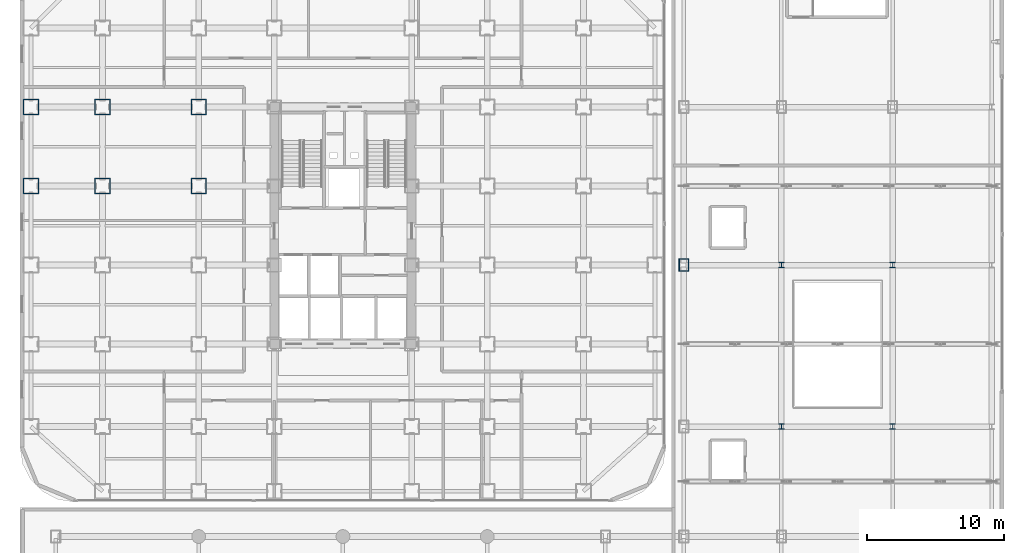
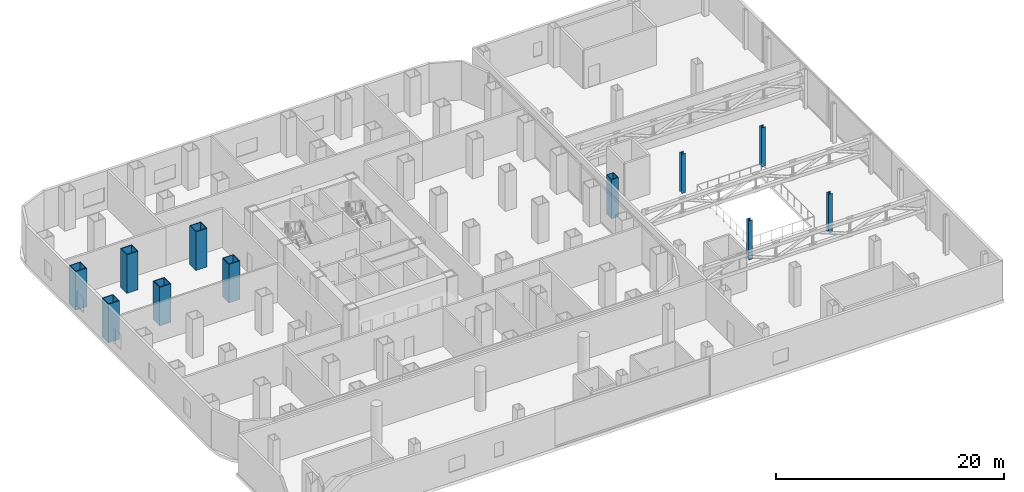
# One storey, part 2 of 28: 11 columns.
"""IFC4 building model written with IfcOpenShell, lengths in metres."""

import ifcopenshell
import ifcopenshell.guid

model = None  # the IFC model being written
_history = None  # IfcOwnerHistory: only IFC2X3 demands one
_inside = {}  # id of a spatial element -> (the spatial element, [elements in it])
_under = {}  # id of a project, library or spatial element -> (it, [spatial elements below it])
_declared = {}  # id of a project -> (the project, [libraries it declares])
_typed = {}  # id of a type object -> (the type object, [elements of that type])
_made_of = {}  # id of a material, layer set ... -> (it, [elements and type objects made of it])


def new_model(schema):
    """Start an empty IFC model of exactly this schema.

    Asked for "IFC4X3", IfcOpenShell would pick the latest addendum, in which some entities
    have other attributes; the version numbers below select the first issue.
    IFC2X3 requires an IfcOwnerHistory on every rooted entity: one is made here for all.
    """
    global model, _history
    if schema == "IFC4X3":
        model = ifcopenshell.file(schema_version=(4, 3, 0, 0))
    else:
        model = ifcopenshell.file(schema=schema)
    _inside.clear()
    _under.clear()
    _declared.clear()
    _typed.clear()
    _made_of.clear()
    _history = None
    if model.schema == "IFC2X3":
        org = make("IfcOrganization", Name="unknown")
        user = make(
            "IfcPersonAndOrganization",
            ThePerson=make("IfcPerson", FamilyName="unknown"),
            TheOrganization=org,
        )
        app = make(
            "IfcApplication",
            ApplicationDeveloper=org,
            Version="unknown",
            ApplicationFullName="unknown",
            ApplicationIdentifier="unknown",
        )
        _history = make(
            "IfcOwnerHistory",
            OwningUser=user,
            OwningApplication=app,
            ChangeAction="ADDED",
            CreationDate=0,
        )
    return model


def make(cls, **values):
    """One entity of the class cls with the attributes given. An attribute that is None is left unset."""
    return model.create_entity(
        cls, **{name: value for name, value in values.items() if value is not None}
    )


def rooted(cls, **values):
    """An entity with a GlobalId (a new one), such as an element, a storey or a relation."""
    return make(cls, GlobalId=ifcopenshell.guid.new(), OwnerHistory=_history, **values)


def si_unit(unit_type, name, prefix=None):
    """IfcSIUnit, for example si_unit("LENGTHUNIT", "METRE", prefix="MILLI")."""
    return make("IfcSIUnit", UnitType=unit_type, Prefix=prefix, Name=name)


def assignment(units):
    """IfcUnitAssignment: the units of a project."""
    return None if units is None else make("IfcUnitAssignment", Units=units)


def point(xyz):
    """IfcCartesianPoint."""
    return None if xyz is None else make("IfcCartesianPoint", Coordinates=xyz)


def direction(xyz):
    """IfcDirection."""
    return None if xyz is None else make("IfcDirection", DirectionRatios=xyz)


def frame(location, z_axis=None, x_axis=None):
    """IfcAxis2Placement3D, a coordinate frame: its origin and axes. An axis left out is left unset."""
    return make(
        "IfcAxis2Placement3D",
        Location=point(location),
        Axis=direction(z_axis),
        RefDirection=direction(x_axis),
    )


def frame_2d(location, x_axis=None):
    """IfcAxis2Placement2D, a coordinate frame in the plane: its origin and x axis."""
    return make(
        "IfcAxis2Placement2D", Location=point(location), RefDirection=direction(x_axis)
    )


def origin():
    """The frame at (0, 0, 0) with its axes left unset."""
    return frame((0.0, 0.0, 0.0))


def origin_2d():
    """The frame at (0, 0) in the plane with its x axis left unset."""
    return frame_2d((0.0, 0.0))


def place(relative_to, where):
    """IfcLocalPlacement: puts the frame where relative to a parent placement (None: the world)."""
    return make(
        "IfcLocalPlacement", PlacementRelTo=relative_to, RelativePlacement=where
    )


def context(
    kind, dimensions, precision=None, world=None, true_north=None, identifier=None
):
    """IfcGeometricRepresentationContext, for example the 3D "Model" context."""
    return make(
        "IfcGeometricRepresentationContext",
        ContextIdentifier=identifier,
        ContextType=kind,
        CoordinateSpaceDimension=dimensions,
        Precision=precision,
        WorldCoordinateSystem=world,
        TrueNorth=true_north,
    )


def subcontext(parent, identifier, kind, view, scale=None):
    """IfcGeometricRepresentationSubContext, for example "Body" below "Model"."""
    return make(
        "IfcGeometricRepresentationSubContext",
        ContextIdentifier=identifier,
        ContextType=kind,
        ParentContext=parent,
        TargetScale=scale,
        TargetView=view,
    )


def project(units=None, contexts=None):
    """IfcProject with its units and contexts."""
    return rooted(
        "IfcProject",
        Name="project",
        RepresentationContexts=contexts,
        UnitsInContext=assignment(units),
    )


def spatial(cls, under=None, at=None, **own):
    """A site, building, storey or space (cls), placed at a placement, below another one or the project."""
    s = rooted(cls, ObjectPlacement=at, **own)
    if under is not None:
        _under.setdefault(under.id(), (under, []))[1].append(s)
    return s


def profile(cls, at=None, kind="AREA", **sizes):
    """A parametric profile (cls). Its sizes go by their IFC names, for example OverallWidth=200.0."""
    return make(cls, ProfileType=kind, Position=at, **sizes)


def hollow_rectangle(**sizes):
    """IfcRectangleHollowProfileDef."""
    return profile("IfcRectangleHollowProfileDef", **sizes)


def i_section(**sizes):
    """IfcIShapeProfileDef."""
    return profile("IfcIShapeProfileDef", **sizes)


def extrude(swept, where, along, depth):
    """IfcExtrudedAreaSolid: the profile swept, set in the frame where, extruded along a direction by depth."""
    return make(
        "IfcExtrudedAreaSolid",
        SweptArea=swept,
        Position=where,
        ExtrudedDirection=direction(along),
        Depth=depth,
    )


def shape(context_of_items, identifier, shape_type, items):
    """IfcShapeRepresentation: the items that make up one representation, for example the "Body"."""
    return make(
        "IfcShapeRepresentation",
        ContextOfItems=context_of_items,
        RepresentationIdentifier=identifier,
        RepresentationType=shape_type,
        Items=items,
    )


def source(mapping_origin, context_of_items, identifier, shape_type, items):
    """IfcRepresentationMap: a shape defined once, which mapped items show again and again."""
    return make(
        "IfcRepresentationMap",
        MappingOrigin=mapping_origin,
        MappedRepresentation=shape(context_of_items, identifier, shape_type, items),
    )


def transform(
    local_origin,
    x_axis=None,
    y_axis=None,
    z_axis=None,
    scale=None,
    scale2=None,
    scale3=None,
    uniform=True,
):
    """IfcCartesianTransformationOperator3D, or its non-uniform kind. x_axis, y_axis, z_axis: its Axis1, 2, 3."""
    if uniform:
        return make(
            "IfcCartesianTransformationOperator3D",
            Axis1=direction(x_axis),
            Axis2=direction(y_axis),
            LocalOrigin=point(local_origin),
            Scale=scale,
            Axis3=direction(z_axis),
        )
    return make(
        "IfcCartesianTransformationOperator3DnonUniform",
        Axis1=direction(x_axis),
        Axis2=direction(y_axis),
        LocalOrigin=point(local_origin),
        Scale=scale,
        Axis3=direction(z_axis),
        Scale2=scale2,
        Scale3=scale3,
    )


def mapped(mapping_source, mapping_target):
    """IfcMappedItem: shows the shape of a source again, moved by a transform."""
    return make(
        "IfcMappedItem", MappingSource=mapping_source, MappingTarget=mapping_target
    )


def material(Name=None, Category=None):
    """IfcMaterial."""
    return make("IfcMaterial", Name=Name, Category=Category)


def material_profile(
    of_material, cross_section, Name=None, Category=None, Priority=None
):
    """IfcMaterialProfile: a cross section and its material."""
    return make(
        "IfcMaterialProfile",
        Name=Name,
        Material=of_material,
        Profile=cross_section,
        Priority=Priority,
        Category=Category,
    )


def profile_set(profiles, Name=None, composite=None):
    """IfcMaterialProfileSet."""
    return make(
        "IfcMaterialProfileSet",
        Name=Name,
        MaterialProfiles=profiles,
        CompositeProfile=composite,
    )


def made_of(thing, what):
    """Note that an element or type object is made of a material, layer set ...; save() writes the relation."""
    if what is not None:
        _made_of.setdefault(what.id(), (what, []))[1].append(thing)
    return thing


def type_object(cls, material=None, **own):
    """A type object (cls), such as IfcWallType, which elements share."""
    return made_of(rooted(cls, **own), material)


def element(
    cls,
    number,
    at=None,
    inside=None,
    cuts=None,
    type_object=None,
    material=None,
    context=None,
    identifier="Body",
    shape_type=None,
    held_by="IfcProductDefinitionShape",
    body=None,
    shapes=None,
    **own,
):
    """One element of the class cls, such as IfcWall. Its Tag is "e" and its number.

    at: its placement. inside: the storey or other place that contains it. cuts: it is an
    opening in that element (IfcRelVoidsElement). A single representation is given by context,
    identifier, shape_type and body (its items); several are given by shapes. held_by: the class
    of the entity that holds the representations. save() writes the other relations.
    """
    e = rooted(cls, Tag="e%d" % number, ObjectPlacement=at, **own)
    if body is not None:
        shapes = [shape(context, identifier, shape_type, body)]
    if shapes is not None:
        e.Representation = make(held_by, Representations=shapes)
    if inside is not None:
        _inside.setdefault(inside.id(), (inside, []))[1].append(e)
    if cuts is not None:
        rooted(
            "IfcRelVoidsElement", RelatingBuildingElement=cuts, RelatedOpeningElement=e
        )
    if type_object is not None:
        _typed.setdefault(type_object.id(), (type_object, []))[1].append(e)
    return made_of(e, material)


def aggregate(whole, parts):
    """IfcRelAggregates: a whole, such as a stair, and the parts it consists of."""
    return rooted("IfcRelAggregates", RelatingObject=whole, RelatedObjects=parts)


def save(model, path):
    """Write the relations noted so far, then the file.

    IfcRelAggregates (storeys below a building ...), IfcRelContainedInSpatialStructure (elements
    in a storey), IfcRelDefinesByType, IfcRelAssociatesMaterial and IfcRelDeclares: one each for
    every whole, place, type object, material and project.
    """
    for whole, parts in _under.values():
        aggregate(whole, parts)
    for where, things in _inside.values():
        rooted(
            "IfcRelContainedInSpatialStructure",
            RelatedElements=things,
            RelatingStructure=where,
        )
    for kind, things in _typed.values():
        rooted("IfcRelDefinesByType", RelatedObjects=things, RelatingType=kind)
    for what, things in _made_of.values():
        rooted("IfcRelAssociatesMaterial", RelatedObjects=things, RelatingMaterial=what)
    for by, libraries in _declared.values():
        rooted("IfcRelDeclares", RelatingContext=by, RelatedDefinitions=libraries)
    model.write(path)


model = new_model("IFC4")

# Units and contexts
model_context = context("Model", 3, precision=1e-05, world=origin(), true_north=direction((0.0, 1.0)))
body_context = subcontext(model_context, "Body", "Model", "MODEL_VIEW")
ifc_project = project(units=[si_unit("LENGTHUNIT", "METRE"), si_unit("AREAUNIT", "SQUARE_METRE"), si_unit("VOLUMEUNIT", "CUBIC_METRE"), si_unit("PLANEANGLEUNIT", "RADIAN"), si_unit("MASSUNIT", "GRAM", prefix="KILO")], contexts=[model_context])

# Site, building, storey
site_placement = place(None, origin())
site = spatial("IfcSite", under=ifc_project, at=site_placement, CompositionType="ELEMENT")
building_placement = place(site_placement, origin())
building = spatial("IfcBuilding", under=site, at=building_placement, Name="Kolveth Station Tower", CompositionType="ELEMENT")
storey_placement = place(building_placement, frame((0.0, 0.0, 18.0)))
storey = spatial("IfcBuildingStorey", under=building, at=storey_placement, Name="L04", CompositionType="ELEMENT", Elevation=18.0)

# Columns
ifc_material_1 = material(Name="Steel S460", Category="steel")
ifc_material_profile_1 = material_profile(ifc_material_1, hollow_rectangle(XDim=1.139892578125, YDim=1.139892578125, WallThickness=0.070068359375, at=origin_2d()), Name="BOX1140x1140x70")
ifc_profile_set_1 = profile_set([ifc_material_profile_1], Name="Steel S460")
column_type_1 = type_object("IfcColumnType", Name="Col_C1", PredefinedType="COLUMN", material=ifc_profile_set_1)
shared_shape_1 = source(origin(), body_context, "Body", "SweptSolid", [
    extrude(hollow_rectangle(XDim=1.139892578125, YDim=1.139892578125, WallThickness=0.070068359375, at=origin_2d()), origin(), (0.0, 0.0, 1.0), 4.139892578125),
])
for number, where, z_axis, x_axis, name in (
    (1, (0.800048828125, 23.0, 0.0), (0.0, 0.0, 1.0), (1.0, 0.0, 0.0), "L04 Tower Column W-Y230"),
    (2, (0.800048828125, 28.75, 0.0), (0.0, 0.0, 1.0), (1.0, 0.0, 0.0), "L04 Tower Column W-Y287"),
    (3, (6.0, 23.0, 0.0), (0.0, 0.0, 1.0), (1.0, 0.0, 0.0), "L04 Tower Column G-60-230"),
    (4, (6.0, 28.75, 0.0), (0.0, 0.0, 1.0), (1.0, 0.0, 0.0), "L04 Tower Column G-60-287"),
    (5, (13.0, 23.0, 0.0), (0.0, 0.0, 1.0), (1.0, 0.0, 0.0), "L04 Tower Column G-130-230"),
    (6, (13.0, 28.75, 0.0), (0.0, 0.0, 1.0), (1.0, 0.0, 0.0), "L04 Tower Column G-130-287"),
):
    element("IfcColumn", number, at=place(storey_placement, frame(where, z_axis=z_axis, x_axis=x_axis)), inside=storey, type_object=column_type_1, Name=name, PredefinedType="COLUMN", context=body_context, shape_type="MappedRepresentation", body=[
        mapped(shared_shape_1, transform((0.0, 0.0, 0.0), x_axis=(1.0, 0.0, 0.0), y_axis=(0.0, 1.0, 0.0), z_axis=(0.0, 0.0, 1.0), scale=1.0)),
    ])
ifc_material_2 = material(Name="Steel S355", Category="steel")
ifc_material_profile_2 = material_profile(ifc_material_2, hollow_rectangle(XDim=0.699951171875, YDim=0.89990234375, WallThickness=0.0400390625, at=origin_2d()), Name="BOX900x700x40")
ifc_profile_set_2 = profile_set([ifc_material_profile_2], Name="Steel S355")
column_type_2 = type_object("IfcColumnType", Name="Col_SC1", PredefinedType="COLUMN", material=ifc_profile_set_2)
shared_shape_2 = source(origin(), body_context, "Body", "SweptSolid", [
    extrude(hollow_rectangle(XDim=0.699951171875, YDim=0.89990234375, WallThickness=0.0400390625, at=origin_2d()), origin(), (0.0, 0.0, 1.0), 4.199951171875),
])
column_placement = place(storey_placement, frame((48.300048828125, 17.25, 0.0), z_axis=(0.0, 0.0, 1.0), x_axis=(1.0, 0.0, 0.0)))
element("IfcColumn", 7, at=column_placement, inside=storey, type_object=column_type_2, Name="L04 Station Column SE-1-4", PredefinedType="COLUMN", context=body_context, shape_type="MappedRepresentation", body=[
    mapped(shared_shape_2, transform((0.0, 0.0, 0.0), x_axis=(1.0, 0.0, 0.0), y_axis=(0.0, 1.0, 0.0), z_axis=(0.0, 0.0, 1.0), scale=1.0)),
])
ifc_material_profile_3 = material_profile(ifc_material_2, i_section(OverallWidth=0.39892578125, OverallDepth=0.39306640625, WebThickness=0.022705078125, FlangeThickness=0.03662109375, at=origin_2d()), Name="W360x287")
ifc_profile_set_3 = profile_set([ifc_material_profile_3], Name="Steel S355")
column_type_3 = type_object("IfcColumnType", Name="Col_CW1", PredefinedType="COLUMN", material=ifc_profile_set_3)
shared_shape_3 = source(origin(), body_context, "Body", "SweptSolid", [
    extrude(i_section(OverallWidth=0.39892578125, OverallDepth=0.39306640625, WebThickness=0.022705078125, FlangeThickness=0.03662109375, at=origin_2d()), origin(), (0.0, 0.0, 1.0), 4.199951171875),
])
for number, where, z_axis, x_axis, name in (
    (8, (55.39990234375, 5.5, 0.0), (0.0, 0.0, 1.0), (1.0, 0.0, 0.0), "L04 Station Column SE-2-3"),
    (9, (55.39990234375, 17.25, 0.0), (0.0, 0.0, 1.0), (1.0, 0.0, 0.0), "L04 Station Column SE-2-4"),
    (10, (63.5, 5.5, 0.0), (0.0, 0.0, 1.0), (1.0, 0.0, 0.0), "L04 Station Column SE-3-3"),
    (11, (63.5, 17.25, 0.0), (0.0, 0.0, 1.0), (1.0, 0.0, 0.0), "L04 Station Column SE-3-4"),
):
    element("IfcColumn", number, at=place(storey_placement, frame(where, z_axis=z_axis, x_axis=x_axis)), inside=storey, type_object=column_type_3, Name=name, PredefinedType="COLUMN", context=body_context, shape_type="MappedRepresentation", body=[
        mapped(shared_shape_3, transform((0.0, 0.0, 0.0), x_axis=(1.0, 0.0, 0.0), y_axis=(0.0, 1.0, 0.0), z_axis=(0.0, 0.0, 1.0), scale=1.0)),
    ])

save(model, "model.ifc")
